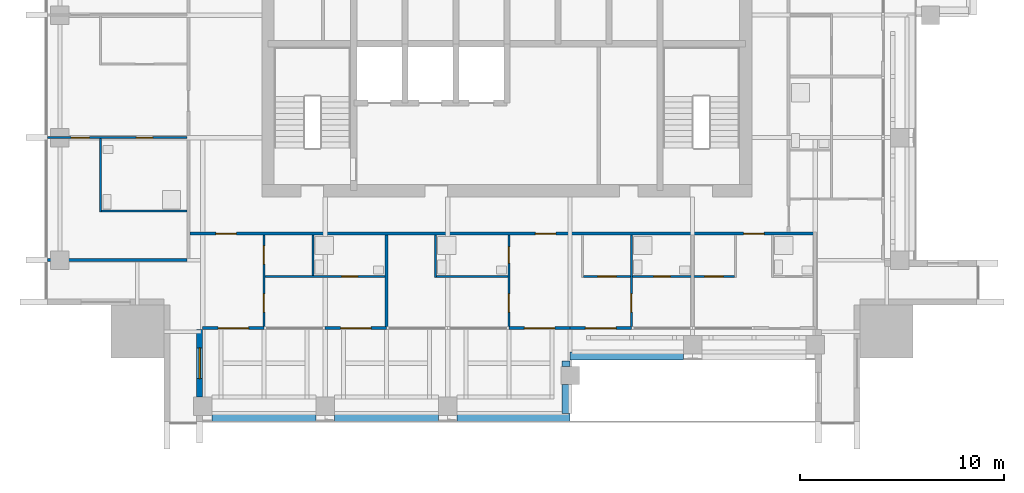
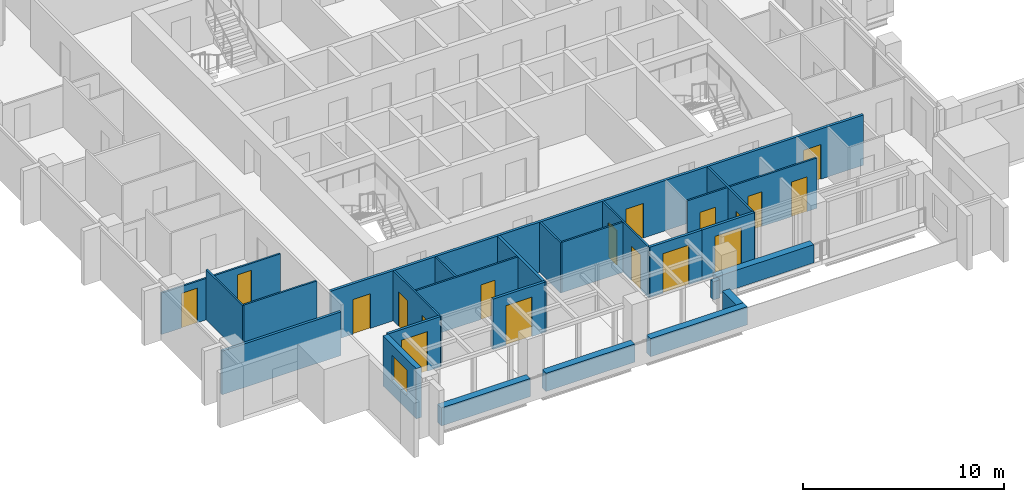
# One storey, part 8 of 17: 25 walls, 18 doors, 1 window, 19 openings.
"""IFC4 building model written with IfcOpenShell, lengths in metres."""

from ifc_helpers import new_model, si_unit, direction, frame, frame_2d, origin, place, context, subcontext, project, spatial, rectangle, extrude, material, layer, layer_set, type_object, element, fill, save


model = new_model("IFC4")

# Units and contexts
model_context = context("Model", 3, precision=1e-05, world=origin(), true_north=direction((0.0, 1.0)))
body_context = subcontext(model_context, "Body", "Model", "MODEL_VIEW")
ifc_project = project(units=[si_unit("LENGTHUNIT", "METRE"), si_unit("AREAUNIT", "SQUARE_METRE"), si_unit("VOLUMEUNIT", "CUBIC_METRE"), si_unit("PLANEANGLEUNIT", "RADIAN"), si_unit("MASSUNIT", "GRAM", prefix="KILO")], contexts=[model_context])

# Site, building, storey
site_placement = place(None, origin())
site = spatial("IfcSite", under=ifc_project, at=site_placement, CompositionType="ELEMENT")
building_placement = place(site_placement, origin())
building = spatial("IfcBuilding", under=site, at=building_placement, Name="Amberfall Residences", CompositionType="ELEMENT")
storey_placement = place(building_placement, frame((0.0, 0.0, 216.699951171875)))
storey = spatial("IfcBuildingStorey", under=building, at=storey_placement, Name="L58", CompositionType="ELEMENT", Elevation=216.699951171875)

# Wall, opening, window
ifc_material_1 = material(Name="Pale stone cladding on insulated backing", Category="masonry")
ifc_layer_1 = layer(ifc_material_1, 0.300048828125)
ifc_layer_set_1 = layer_set([ifc_layer_1], Name="Bronze clad wall 300")
wall_type_1 = type_object("IfcWallType", Name="Bronze clad wall 300", PredefinedType="SOLIDWALL", material=ifc_layer_set_1)
wall_1_placement = place(storey_placement, frame((59.449951171875, 23.699951171875, 0.0), z_axis=(0.0, 0.0, 1.0), x_axis=(0.0, 1.0, 0.0)))
wall_1 = element("IfcWall", 1, at=wall_1_placement, inside=storey, type_object=wall_type_1, Name="External wall L58 S", PredefinedType="SOLIDWALL", context=body_context, shape_type="SweptSolid", body=[
    extrude(rectangle(XDim=3.300048828125, YDim=0.300048828125, at=frame_2d((1.64990234375, 0.0))), origin(), (0.0, 0.0, 1.0), 3.050048828125),
])
opening_1_placement = place(wall_1_placement, frame((0.89990234375, 0.0, 0.89990234375)))
opening_1 = element("IfcOpeningElement", 2, at=opening_1_placement, cuts=wall_1, Name="Opening WN1", PredefinedType="OPENING", context=body_context, shape_type="SweptSolid", body=[
    extrude(rectangle(XDim=1.5, YDim=1.5, at=frame_2d((0.75, 0.75))), frame((0.0, 0.159912109375, 0.0), z_axis=(0.0, -1.0, 0.0), x_axis=(1.0, 0.0, 0.0)), (0.0, 0.0, 1.0), 0.320068359375),
])
ifc_material_2 = material(Name="Bronze aluminium framed glazing", Category="aluminium")
window_type = type_object("IfcWindowType", Name="Window 1500 x 1500 bronze", PartitioningType="DOUBLE_PANEL_VERTICAL", PredefinedType="WINDOW", material=ifc_material_2)
window_placement = place(opening_1_placement, origin())
window = element("IfcWindow", 3, at=window_placement, inside=storey, type_object=window_type, Name="Window L58 S", OverallHeight=1.5, OverallWidth=1.5, PartitioningType="DOUBLE_PANEL_VERTICAL", PredefinedType="WINDOW", context=body_context, shape_type="SweptSolid", body=[
    extrude(rectangle(XDim=1.5, YDim=1.5, at=frame_2d((0.75, 0.75))), frame((0.0, 0.030029296875, 0.0), z_axis=(0.0, -1.0, 0.0), x_axis=(1.0, 0.0, 0.0)), (0.0, 0.0, 1.0), 0.06005859375),
])
fill(opening_1, window)

# Wall
ifc_material_3 = material(Name="Gypsum board on metal stud")
ifc_layer_2 = layer(ifc_material_3, 0.10009765625)
ifc_layer_set_2 = layer_set([ifc_layer_2], Name="Flat partition 100")
wall_type_2 = type_object("IfcWallType", Name="Flat partition 100", PredefinedType="PARTITIONING", material=ifc_layer_set_2)
wall_2_placement = place(storey_placement, frame((54.60009765625, 32.75, 0.0), z_axis=(0.0, 0.0, 1.0), x_axis=(0.0, 1.0, 0.0)))
element("IfcWall", 4, at=wall_2_placement, inside=storey, type_object=wall_type_2, Name="Partition 001", PredefinedType="PARTITIONING", context=body_context, shape_type="SweptSolid", body=[
    extrude(rectangle(XDim=3.60009765625, YDim=0.10009765625, at=frame_2d((1.800048828125, 0.0))), origin(), (0.0, 0.0, 1.0), 3.050048828125),
])

# Wall, openings, doors
wall_3_placement = place(storey_placement, frame((62.60009765625, 31.625, 0.0), z_axis=(0.0, 0.0, 1.0), x_axis=(0.0, -1.0, 0.0)))
wall_3 = element("IfcWall", 5, at=wall_3_placement, inside=storey, type_object=wall_type_2, Name="Partition 006", PredefinedType="PARTITIONING", context=body_context, shape_type="SweptSolid", body=[
    extrude(rectangle(XDim=4.625, YDim=0.10009765625, at=frame_2d((2.3125, 0.0))), origin(), (0.0, 0.0, 1.0), 3.050048828125),
])
opening_2_placement = place(wall_3_placement, frame((0.52490234375, 0.0, 0.0)))
opening_2 = element("IfcOpeningElement", 6, at=opening_2_placement, cuts=wall_3, Name="Opening D41", PredefinedType="OPENING", context=body_context, shape_type="SweptSolid", body=[
    extrude(rectangle(XDim=0.89990234375, YDim=2.10009765625, at=frame_2d((0.449951171875, 1.050048828125))), frame((0.0, 0.06005859375, 0.0), z_axis=(0.0, -1.0, 0.0), x_axis=(1.0, 0.0, 0.0)), (0.0, 0.0, 1.0), 0.1201171875),
])
opening_3_placement = place(wall_3_placement, frame((2.875, 0.0, 0.0)))
opening_3 = element("IfcOpeningElement", 7, at=opening_3_placement, cuts=wall_3, Name="Opening D41", PredefinedType="OPENING", context=body_context, shape_type="SweptSolid", body=[
    extrude(rectangle(XDim=0.89990234375, YDim=2.10009765625, at=frame_2d((0.449951171875, 1.050048828125))), frame((0.0, 0.06005859375, 0.0), z_axis=(0.0, -1.0, 0.0), x_axis=(1.0, 0.0, 0.0)), (0.0, 0.0, 1.0), 0.1201171875),
])
ifc_material_4 = material(Name="Timber", Category="wood")
door_type_1 = type_object("IfcDoorType", Name="Internal door 900 x 2100", OperationType="SINGLE_SWING_LEFT", PredefinedType="DOOR", material=ifc_material_4)
door_1_placement = place(opening_2_placement, origin())
door_1 = element("IfcDoor", 8, at=door_1_placement, inside=storey, type_object=door_type_1, Name="Door 5801 kitchen", OperationType="SINGLE_SWING_LEFT", OverallHeight=2.10009765625, OverallWidth=0.89990234375, PredefinedType="DOOR", context=body_context, shape_type="SweptSolid", body=[
    extrude(rectangle(XDim=0.89990234375, YDim=2.10009765625, at=frame_2d((0.449951171875, 1.050048828125))), frame((0.0, 0.02490234375, 0.0), z_axis=(0.0, -1.0, 0.0), x_axis=(1.0, 0.0, 0.0)), (0.0, 0.0, 1.0), 0.050048828125),
])
fill(opening_2, door_1)
door_2_placement = place(opening_3_placement, origin())
door_2 = element("IfcDoor", 9, at=door_2_placement, inside=storey, type_object=door_type_1, Name="Door 5801 bedroom1", OperationType="SINGLE_SWING_LEFT", OverallHeight=2.10009765625, OverallWidth=0.89990234375, PredefinedType="DOOR", context=body_context, shape_type="SweptSolid", body=[
    extrude(rectangle(XDim=0.89990234375, YDim=2.10009765625, at=frame_2d((0.449951171875, 1.050048828125))), frame((0.0, 0.02490234375, 0.0), z_axis=(0.0, -1.0, 0.0), x_axis=(1.0, 0.0, 0.0)), (0.0, 0.0, 1.0), 0.050048828125),
])
fill(opening_3, door_2)

# Walls
wall_4_placement = place(storey_placement, frame((65.0, 29.64990234375, 0.0), z_axis=(0.0, 0.0, 1.0), x_axis=(0.0, 1.0, 0.0)))
element("IfcWall", 10, at=wall_4_placement, inside=storey, type_object=wall_type_2, Name="Partition 007", PredefinedType="PARTITIONING", context=body_context, shape_type="SweptSolid", body=[
    extrude(rectangle(XDim=1.97509765625, YDim=0.10009765625, at=frame_2d((0.987548828125, 0.0))), origin(), (0.0, 0.0, 1.0), 3.050048828125),
])
wall_5_placement = place(storey_placement, frame((71.0, 29.550048828125, 0.0), z_axis=(0.0, 0.0, 1.0), x_axis=(0.0, 1.0, 0.0)))
element("IfcWall", 11, at=wall_5_placement, inside=storey, type_object=wall_type_2, Name="Partition 010", PredefinedType="PARTITIONING", context=body_context, shape_type="SweptSolid", body=[
    extrude(rectangle(XDim=2.074951171875, YDim=0.10009765625, at=frame_2d((1.03759765625, 0.0))), origin(), (0.0, 0.0, 1.0), 3.050048828125),
])

# Wall, openings, doors
wall_6_placement = place(storey_placement, frame((74.60009765625, 27.0, 0.0), z_axis=(0.0, 0.0, 1.0), x_axis=(0.0, 1.0, 0.0)))
wall_6 = element("IfcWall", 12, at=wall_6_placement, inside=storey, type_object=wall_type_2, Name="Partition 013", PredefinedType="PARTITIONING", context=body_context, shape_type="SweptSolid", body=[
    extrude(rectangle(XDim=4.625, YDim=0.10009765625, at=frame_2d((2.3125, 0.0))), origin(), (0.0, 0.0, 1.0), 3.050048828125),
])
opening_4_placement = place(wall_6_placement, frame((0.85009765625, 0.0, 0.0)))
opening_4 = element("IfcOpeningElement", 13, at=opening_4_placement, cuts=wall_6, Name="Opening D41", PredefinedType="OPENING", context=body_context, shape_type="SweptSolid", body=[
    extrude(rectangle(XDim=0.89990234375, YDim=2.10009765625, at=frame_2d((0.449951171875, 1.050048828125))), frame((0.0, 0.06005859375, 0.0), z_axis=(0.0, -1.0, 0.0), x_axis=(1.0, 0.0, 0.0)), (0.0, 0.0, 1.0), 0.1201171875),
])
opening_5_placement = place(wall_6_placement, frame((3.25, 0.0, 0.0)))
opening_5 = element("IfcOpeningElement", 14, at=opening_5_placement, cuts=wall_6, Name="Opening D42", PredefinedType="OPENING", context=body_context, shape_type="SweptSolid", body=[
    extrude(rectangle(XDim=0.800048828125, YDim=2.10009765625, at=frame_2d((0.39990234375, 1.050048828125))), frame((0.0, 0.06005859375, 0.0), z_axis=(0.0, -1.0, 0.0), x_axis=(1.0, 0.0, 0.0)), (0.0, 0.0, 1.0), 0.1201171875),
])
door_type_2 = type_object("IfcDoorType", Name="Bathroom door 800 x 2100", OperationType="SINGLE_SWING_LEFT", PredefinedType="DOOR", material=ifc_material_4)
door_3_placement = place(opening_5_placement, origin())
door_3 = element("IfcDoor", 15, at=door_3_placement, inside=storey, type_object=door_type_2, Name="Door 5802 bath1", OperationType="SINGLE_SWING_LEFT", OverallHeight=2.10009765625, OverallWidth=0.800048828125, PredefinedType="DOOR", context=body_context, shape_type="SweptSolid", body=[
    extrude(rectangle(XDim=0.800048828125, YDim=2.10009765625, at=frame_2d((0.39990234375, 1.050048828125))), frame((0.0, 0.02490234375, 0.0), z_axis=(0.0, -1.0, 0.0), x_axis=(1.0, 0.0, 0.0)), (0.0, 0.0, 1.0), 0.050048828125),
])
fill(opening_5, door_3)
door_4_placement = place(opening_4_placement, origin())
door_4 = element("IfcDoor", 16, at=door_4_placement, inside=storey, type_object=door_type_1, Name="Door 5802 bedroom1", OperationType="SINGLE_SWING_LEFT", OverallHeight=2.10009765625, OverallWidth=0.89990234375, PredefinedType="DOOR", context=body_context, shape_type="SweptSolid", body=[
    extrude(rectangle(XDim=0.89990234375, YDim=2.10009765625, at=frame_2d((0.449951171875, 1.050048828125))), frame((0.0, 0.02490234375, 0.0), z_axis=(0.0, -1.0, 0.0), x_axis=(1.0, 0.0, 0.0)), (0.0, 0.0, 1.0), 0.050048828125),
])
fill(opening_4, door_4)

# Wall, opening, door
wall_7_placement = place(storey_placement, frame((80.60009765625, 31.625, 0.0), z_axis=(0.0, 0.0, 1.0), x_axis=(0.0, -1.0, 0.0)))
wall_7 = element("IfcWall", 17, at=wall_7_placement, inside=storey, type_object=wall_type_2, Name="Partition 015", PredefinedType="PARTITIONING", context=body_context, shape_type="SweptSolid", body=[
    extrude(rectangle(XDim=4.625, YDim=0.10009765625, at=frame_2d((2.3125, 0.0))), origin(), (0.0, 0.0, 1.0), 3.050048828125),
])
opening_6_placement = place(wall_7_placement, frame((2.875, 0.0, 0.0)))
opening_6 = element("IfcOpeningElement", 18, at=opening_6_placement, cuts=wall_7, Name="Opening D41", PredefinedType="OPENING", context=body_context, shape_type="SweptSolid", body=[
    extrude(rectangle(XDim=0.89990234375, YDim=2.10009765625, at=frame_2d((0.449951171875, 1.050048828125))), frame((0.0, 0.06005859375, 0.0), z_axis=(0.0, -1.0, 0.0), x_axis=(1.0, 0.0, 0.0)), (0.0, 0.0, 1.0), 0.1201171875),
])
door_5_placement = place(opening_6_placement, origin())
door_5 = element("IfcDoor", 19, at=door_5_placement, inside=storey, type_object=door_type_1, Name="Door 5802 bedroom2", OperationType="SINGLE_SWING_LEFT", OverallHeight=2.10009765625, OverallWidth=0.89990234375, PredefinedType="DOOR", context=body_context, shape_type="SweptSolid", body=[
    extrude(rectangle(XDim=0.89990234375, YDim=2.10009765625, at=frame_2d((0.449951171875, 1.050048828125))), frame((0.0, 0.02490234375, 0.0), z_axis=(0.0, -1.0, 0.0), x_axis=(1.0, 0.0, 0.0)), (0.0, 0.0, 1.0), 0.050048828125),
])
fill(opening_6, door_5)

# Wall, openings, doors
wall_8_placement = place(storey_placement, frame((58.824951171875, 36.39990234375, 0.0), z_axis=(0.0, 0.0, 1.0), x_axis=(-1.0, 0.0, 0.0)))
wall_8 = element("IfcWall", 20, at=wall_8_placement, inside=storey, type_object=wall_type_2, Name="Partition 036", PredefinedType="PARTITIONING", context=body_context, shape_type="SweptSolid", body=[
    extrude(rectangle(XDim=6.824951171875, YDim=0.10009765625, at=frame_2d((3.41259765625, 0.0))), origin(), (0.0, 0.0, 1.0), 2.51611328125),
])
opening_7_placement = place(wall_8_placement, frame((4.77490234375, 0.0, 0.0)))
opening_7 = element("IfcOpeningElement", 21, at=opening_7_placement, cuts=wall_8, Name="Opening D41", PredefinedType="OPENING", context=body_context, shape_type="SweptSolid", body=[
    extrude(rectangle(XDim=0.89990234375, YDim=2.10009765625, at=frame_2d((0.449951171875, 1.050048828125))), frame((0.0, 0.06005859375, 0.0), z_axis=(0.0, -1.0, 0.0), x_axis=(1.0, 0.0, 0.0)), (0.0, 0.0, 1.0), 0.1201171875),
])
opening_8_placement = place(wall_8_placement, frame((1.675048828125, 0.0, 0.0)))
opening_8 = element("IfcOpeningElement", 22, at=opening_8_placement, cuts=wall_8, Name="Opening D42", PredefinedType="OPENING", context=body_context, shape_type="SweptSolid", body=[
    extrude(rectangle(XDim=0.800048828125, YDim=2.10009765625, at=frame_2d((0.39990234375, 1.050048828125))), frame((0.0, 0.06005859375, 0.0), z_axis=(0.0, -1.0, 0.0), x_axis=(1.0, 0.0, 0.0)), (0.0, 0.0, 1.0), 0.1201171875),
])
door_6_placement = place(opening_8_placement, origin())
door_6 = element("IfcDoor", 23, at=door_6_placement, inside=storey, type_object=door_type_2, Name="Door 5809 bath1", OperationType="SINGLE_SWING_LEFT", OverallHeight=2.10009765625, OverallWidth=0.800048828125, PredefinedType="DOOR", context=body_context, shape_type="SweptSolid", body=[
    extrude(rectangle(XDim=0.800048828125, YDim=2.10009765625, at=frame_2d((0.39990234375, 1.050048828125))), frame((0.0, 0.02490234375, 0.0), z_axis=(0.0, -1.0, 0.0), x_axis=(1.0, 0.0, 0.0)), (0.0, 0.0, 1.0), 0.050048828125),
])
fill(opening_8, door_6)
door_7_placement = place(opening_7_placement, origin())
door_7 = element("IfcDoor", 24, at=door_7_placement, inside=storey, type_object=door_type_1, Name="Door 5809 bedroom1", OperationType="SINGLE_SWING_LEFT", OverallHeight=2.10009765625, OverallWidth=0.89990234375, PredefinedType="DOOR", context=body_context, shape_type="SweptSolid", body=[
    extrude(rectangle(XDim=0.89990234375, YDim=2.10009765625, at=frame_2d((0.449951171875, 1.050048828125))), frame((0.0, 0.02490234375, 0.0), z_axis=(0.0, -1.0, 0.0), x_axis=(1.0, 0.0, 0.0)), (0.0, 0.0, 1.0), 0.050048828125),
])
fill(opening_7, door_7)

# Wall
wall_9_placement = place(storey_placement, frame((54.64990234375, 32.800048828125, 0.0), z_axis=(0.0, 0.0, 1.0), x_axis=(1.0, 0.0, 0.0)))
element("IfcWall", 25, at=wall_9_placement, inside=storey, type_object=wall_type_2, Name="Partition 039", PredefinedType="PARTITIONING", context=body_context, shape_type="SweptSolid", body=[
    extrude(rectangle(XDim=4.175048828125, YDim=0.10009765625, at=frame_2d((2.08740234375, 0.0))), origin(), (0.0, 0.0, 1.0), 3.050048828125),
])

# Wall, opening, door
wall_10_placement = place(storey_placement, frame((62.64990234375, 29.60009765625, 0.0), z_axis=(0.0, 0.0, 1.0), x_axis=(1.0, 0.0, 0.0)))
wall_10 = element("IfcWall", 26, at=wall_10_placement, inside=storey, type_object=wall_type_2, Name="Partition 040", PredefinedType="PARTITIONING", context=body_context, shape_type="SweptSolid", body=[
    extrude(rectangle(XDim=5.875, YDim=0.10009765625, at=frame_2d((2.9375, 0.0))), origin(), (0.0, 0.0, 1.0), 3.050048828125),
])
opening_9_placement = place(wall_10_placement, frame((3.75, 0.0, 0.0)))
opening_9 = element("IfcOpeningElement", 27, at=opening_9_placement, cuts=wall_10, Name="Opening D42", PredefinedType="OPENING", context=body_context, shape_type="SweptSolid", body=[
    extrude(rectangle(XDim=0.800048828125, YDim=2.10009765625, at=frame_2d((0.39990234375, 1.050048828125))), frame((0.0, 0.06005859375, 0.0), z_axis=(0.0, -1.0, 0.0), x_axis=(1.0, 0.0, 0.0)), (0.0, 0.0, 1.0), 0.1201171875),
])
door_8_placement = place(opening_9_placement, origin())
door_8 = element("IfcDoor", 28, at=door_8_placement, inside=storey, type_object=door_type_2, Name="Door 5801 bath1", OperationType="SINGLE_SWING_LEFT", OverallHeight=2.10009765625, OverallWidth=0.800048828125, PredefinedType="DOOR", context=body_context, shape_type="SweptSolid", body=[
    extrude(rectangle(XDim=0.800048828125, YDim=2.10009765625, at=frame_2d((0.39990234375, 1.050048828125))), frame((0.0, 0.02490234375, 0.0), z_axis=(0.0, -1.0, 0.0), x_axis=(1.0, 0.0, 0.0)), (0.0, 0.0, 1.0), 0.050048828125),
])
fill(opening_9, door_8)

# Wall
wall_11_placement = place(storey_placement, frame((71.050048828125, 29.60009765625, 0.0), z_axis=(0.0, 0.0, 1.0), x_axis=(1.0, 0.0, 0.0)))
element("IfcWall", 29, at=wall_11_placement, inside=storey, type_object=wall_type_2, Name="Partition 041", PredefinedType="PARTITIONING", context=body_context, shape_type="SweptSolid", body=[
    extrude(rectangle(XDim=3.5, YDim=0.10009765625, at=frame_2d((1.75, 0.0))), origin(), (0.0, 0.0, 1.0), 3.050048828125),
])

# Wall, openings, doors
wall_12_placement = place(storey_placement, frame((78.25, 29.60009765625, 0.0), z_axis=(0.0, 0.0, 1.0), x_axis=(1.0, 0.0, 0.0)))
wall_12 = element("IfcWall", 30, at=wall_12_placement, inside=storey, type_object=wall_type_2, Name="Partition 042", PredefinedType="PARTITIONING", context=body_context, shape_type="SweptSolid", body=[
    extrude(rectangle(XDim=7.39990234375, YDim=0.10009765625, at=frame_2d((3.699951171875, 0.0))), origin(), (0.0, 0.0, 1.0), 3.050048828125),
])
opening_10_placement = place(wall_12_placement, frame((0.699951171875, 0.0, 0.0)))
opening_10 = element("IfcOpeningElement", 31, at=opening_10_placement, cuts=wall_12, Name="Opening D41", PredefinedType="OPENING", context=body_context, shape_type="SweptSolid", body=[
    extrude(rectangle(XDim=0.89990234375, YDim=2.10009765625, at=frame_2d((0.449951171875, 1.050048828125))), frame((0.0, 0.06005859375, 0.0), z_axis=(0.0, -1.0, 0.0), x_axis=(1.0, 0.0, 0.0)), (0.0, 0.0, 1.0), 0.1201171875),
])
opening_11_placement = place(wall_12_placement, frame((3.449951171875, 0.0, 0.0)))
opening_11 = element("IfcOpeningElement", 32, at=opening_11_placement, cuts=wall_12, Name="Opening D42", PredefinedType="OPENING", context=body_context, shape_type="SweptSolid", body=[
    extrude(rectangle(XDim=0.800048828125, YDim=2.10009765625, at=frame_2d((0.39990234375, 1.050048828125))), frame((0.0, 0.06005859375, 0.0), z_axis=(0.0, -1.0, 0.0), x_axis=(1.0, 0.0, 0.0)), (0.0, 0.0, 1.0), 0.1201171875),
])
opening_12_placement = place(wall_12_placement, frame((5.949951171875, 0.0, 0.0)))
opening_12 = element("IfcOpeningElement", 33, at=opening_12_placement, cuts=wall_12, Name="Opening D41", PredefinedType="OPENING", context=body_context, shape_type="SweptSolid", body=[
    extrude(rectangle(XDim=0.89990234375, YDim=2.10009765625, at=frame_2d((0.449951171875, 1.050048828125))), frame((0.0, 0.06005859375, 0.0), z_axis=(0.0, -1.0, 0.0), x_axis=(1.0, 0.0, 0.0)), (0.0, 0.0, 1.0), 0.1201171875),
])
door_9_placement = place(opening_11_placement, origin())
door_9 = element("IfcDoor", 34, at=door_9_placement, inside=storey, type_object=door_type_2, Name="Door 5802 bath2", OperationType="SINGLE_SWING_LEFT", OverallHeight=2.10009765625, OverallWidth=0.800048828125, PredefinedType="DOOR", context=body_context, shape_type="SweptSolid", body=[
    extrude(rectangle(XDim=0.800048828125, YDim=2.10009765625, at=frame_2d((0.39990234375, 1.050048828125))), frame((0.0, 0.02490234375, 0.0), z_axis=(0.0, -1.0, 0.0), x_axis=(1.0, 0.0, 0.0)), (0.0, 0.0, 1.0), 0.050048828125),
])
fill(opening_11, door_9)
door_10_placement = place(opening_10_placement, origin())
door_10 = element("IfcDoor", 35, at=door_10_placement, inside=storey, type_object=door_type_1, Name="Door 5802 kitchen", OperationType="SINGLE_SWING_LEFT", OverallHeight=2.10009765625, OverallWidth=0.89990234375, PredefinedType="DOOR", context=body_context, shape_type="SweptSolid", body=[
    extrude(rectangle(XDim=0.89990234375, YDim=2.10009765625, at=frame_2d((0.449951171875, 1.050048828125))), frame((0.0, 0.02490234375, 0.0), z_axis=(0.0, -1.0, 0.0), x_axis=(1.0, 0.0, 0.0)), (0.0, 0.0, 1.0), 0.050048828125),
])
fill(opening_10, door_10)
door_11_placement = place(opening_12_placement, origin())
door_11 = element("IfcDoor", 36, at=door_11_placement, inside=storey, type_object=door_type_1, Name="Door 5803 kitchen", OperationType="SINGLE_SWING_LEFT", OverallHeight=2.10009765625, OverallWidth=0.89990234375, PredefinedType="DOOR", context=body_context, shape_type="SweptSolid", body=[
    extrude(rectangle(XDim=0.89990234375, YDim=2.10009765625, at=frame_2d((0.449951171875, 1.050048828125))), frame((0.0, 0.02490234375, 0.0), z_axis=(0.0, -1.0, 0.0), x_axis=(1.0, 0.0, 0.0)), (0.0, 0.0, 1.0), 0.050048828125),
])
fill(opening_12, door_11)

# Wall
ifc_material_5 = material(Name="Blockwork, plastered", Category="masonry")
ifc_layer_3 = layer(ifc_material_5, 0.14990234375)
ifc_layer_set_3 = layer_set([ifc_layer_3], Name="Flat separating wall 150")
wall_type_3 = type_object("IfcWallType", Name="Flat separating wall 150", PredefinedType="PARTITIONING", material=ifc_layer_set_3)
wall_13_placement = place(storey_placement, frame((68.60009765625, 27.0, 0.0), z_axis=(0.0, 0.0, 1.0), x_axis=(0.0, 1.0, 0.0)))
element("IfcWall", 37, at=wall_13_placement, inside=storey, type_object=wall_type_3, Name="Separating wall 046", PredefinedType="PARTITIONING", context=body_context, shape_type="SweptSolid", body=[
    extrude(rectangle(XDim=4.625, YDim=0.14990234375, at=frame_2d((2.3125, 0.0))), origin(), (0.0, 0.0, 1.0), 3.050048828125),
])

# Wall, openings, doors
wall_14_placement = place(storey_placement, frame((89.52490234375, 31.699951171875, 0.0), z_axis=(0.0, 0.0, 1.0), x_axis=(-1.0, 0.0, 0.0)))
wall_14 = element("IfcWall", 38, at=wall_14_placement, inside=storey, type_object=wall_type_3, Name="Separating wall 056", PredefinedType="PARTITIONING", context=body_context, shape_type="SweptSolid", body=[
    extrude(rectangle(XDim=30.5498046875, YDim=0.14990234375, at=frame_2d((15.27490234375, 0.0))), origin(), (0.0, 0.0, 1.0), 3.050048828125),
])
opening_13_placement = place(wall_14_placement, frame((28.27490234375, 0.0, 0.0)))
opening_13 = element("IfcOpeningElement", 39, at=opening_13_placement, cuts=wall_14, Name="Opening D40", PredefinedType="OPENING", context=body_context, shape_type="SweptSolid", body=[
    extrude(rectangle(XDim=1.0, YDim=2.10009765625, at=frame_2d((0.5, 1.050048828125))), frame((0.0, 0.0849609375, 0.0), z_axis=(0.0, -1.0, 0.0), x_axis=(1.0, 0.0, 0.0)), (0.0, 0.0, 1.0), 0.169921875),
])
opening_14_placement = place(wall_14_placement, frame((12.625, 0.0, 0.0)))
opening_14 = element("IfcOpeningElement", 40, at=opening_14_placement, cuts=wall_14, Name="Opening D40", PredefinedType="OPENING", context=body_context, shape_type="SweptSolid", body=[
    extrude(rectangle(XDim=1.0, YDim=2.10009765625, at=frame_2d((0.5, 1.050048828125))), frame((0.0, 0.0849609375, 0.0), z_axis=(0.0, -1.0, 0.0), x_axis=(1.0, 0.0, 0.0)), (0.0, 0.0, 1.0), 0.169921875),
])
opening_15_placement = place(wall_14_placement, frame((2.425048828125, 0.0, 0.0)))
opening_15 = element("IfcOpeningElement", 41, at=opening_15_placement, cuts=wall_14, Name="Opening D40", PredefinedType="OPENING", context=body_context, shape_type="SweptSolid", body=[
    extrude(rectangle(XDim=1.0, YDim=2.10009765625, at=frame_2d((0.5, 1.050048828125))), frame((0.0, 0.0849609375, 0.0), z_axis=(0.0, -1.0, 0.0), x_axis=(1.0, 0.0, 0.0)), (0.0, 0.0, 1.0), 0.169921875),
])
ifc_material_6 = material(Name="Timber, fire-rated", Category="wood")
door_type_3 = type_object("IfcDoorType", Name="Flat entrance door FD60 1000 x 2100", OperationType="SINGLE_SWING_LEFT", PredefinedType="DOOR", material=ifc_material_6)
door_12_placement = place(opening_13_placement, origin())
door_12 = element("IfcDoor", 42, at=door_12_placement, inside=storey, type_object=door_type_3, Name="Door 5801 entrance", OperationType="SINGLE_SWING_LEFT", OverallHeight=2.10009765625, OverallWidth=1.0, PredefinedType="DOOR", context=body_context, shape_type="SweptSolid", body=[
    extrude(rectangle(XDim=1.0, YDim=2.10009765625, at=frame_2d((0.5, 1.050048828125))), frame((0.0, 0.02490234375, 0.0), z_axis=(0.0, -1.0, 0.0), x_axis=(1.0, 0.0, 0.0)), (0.0, 0.0, 1.0), 0.050048828125),
])
fill(opening_13, door_12)
door_13_placement = place(opening_14_placement, origin())
door_13 = element("IfcDoor", 43, at=door_13_placement, inside=storey, type_object=door_type_3, Name="Door 5802 entrance", OperationType="SINGLE_SWING_LEFT", OverallHeight=2.10009765625, OverallWidth=1.0, PredefinedType="DOOR", context=body_context, shape_type="SweptSolid", body=[
    extrude(rectangle(XDim=1.0, YDim=2.10009765625, at=frame_2d((0.5, 1.050048828125))), frame((0.0, 0.02490234375, 0.0), z_axis=(0.0, -1.0, 0.0), x_axis=(1.0, 0.0, 0.0)), (0.0, 0.0, 1.0), 0.050048828125),
])
fill(opening_14, door_13)
door_14_placement = place(opening_15_placement, origin())
door_14 = element("IfcDoor", 44, at=door_14_placement, inside=storey, type_object=door_type_3, Name="Door 5803 entrance", OperationType="SINGLE_SWING_LEFT", OverallHeight=2.10009765625, OverallWidth=1.0, PredefinedType="DOOR", context=body_context, shape_type="SweptSolid", body=[
    extrude(rectangle(XDim=1.0, YDim=2.10009765625, at=frame_2d((0.5, 1.050048828125))), frame((0.0, 0.02490234375, 0.0), z_axis=(0.0, -1.0, 0.0), x_axis=(1.0, 0.0, 0.0)), (0.0, 0.0, 1.0), 0.050048828125),
])
fill(opening_15, door_14)

# Wall
wall_15_placement = place(storey_placement, frame((52.0, 30.39990234375, 0.0), z_axis=(0.0, 0.0, 1.0), x_axis=(1.0, 0.0, 0.0)))
element("IfcWall", 45, at=wall_15_placement, inside=storey, type_object=wall_type_3, Name="Separating wall 057", PredefinedType="PARTITIONING", context=body_context, shape_type="SweptSolid", body=[
    extrude(rectangle(XDim=6.824951171875, YDim=0.14990234375, at=frame_2d((3.41259765625, 0.0))), origin(), (0.0, 0.0, 1.0), 2.64697265625),
])

# Wall, opening, door
ifc_layer_4 = layer(ifc_material_1, 0.14990234375)
ifc_layer_set_4 = layer_set([ifc_layer_4], Name="Terrace door infill wall 150")
wall_type_4 = type_object("IfcWallType", Name="Terrace door infill wall 150", PredefinedType="SOLIDWALL", material=ifc_layer_set_4)
wall_16_placement = place(storey_placement, frame((59.60009765625, 27.074951171875, 0.0), z_axis=(0.0, 0.0, 1.0), x_axis=(1.0, 0.0, 0.0)))
wall_16 = element("IfcWall", 46, at=wall_16_placement, inside=storey, type_object=wall_type_4, Name="Terrace door wall L58 S1", PredefinedType="SOLIDWALL", context=body_context, shape_type="SweptSolid", body=[
    extrude(rectangle(XDim=3.0, YDim=0.14990234375, at=frame_2d((1.5, 0.0))), origin(), (0.0, 0.0, 1.0), 3.050048828125),
])
opening_16_placement = place(wall_16_placement, frame((0.75, 0.0, 0.0)))
opening_16 = element("IfcOpeningElement", 47, at=opening_16_placement, cuts=wall_16, Name="Opening TD2", PredefinedType="OPENING", context=body_context, shape_type="SweptSolid", body=[
    extrude(rectangle(XDim=1.5, YDim=2.39990234375, at=frame_2d((0.75, 1.199951171875))), frame((0.0, 0.0849609375, 0.0), z_axis=(0.0, -1.0, 0.0), x_axis=(1.0, 0.0, 0.0)), (0.0, 0.0, 1.0), 0.169921875),
])
ifc_material_7 = material(Name="Bronze aluminium framed glazed door", Category="aluminium")
door_type_4 = type_object("IfcDoorType", Name="Terrace sliding door 1500 x 2400", OperationType="DOUBLE_DOOR_SLIDING", PredefinedType="DOOR", material=ifc_material_7)
door_15_placement = place(opening_16_placement, origin())
door_15 = element("IfcDoor", 48, at=door_15_placement, inside=storey, type_object=door_type_4, Name="Terrace door TD2", OperationType="DOUBLE_DOOR_SLIDING", OverallHeight=2.39990234375, OverallWidth=1.5, PredefinedType="DOOR", context=body_context, shape_type="SweptSolid", body=[
    extrude(rectangle(XDim=1.5, YDim=2.39990234375, at=frame_2d((0.75, 1.199951171875))), frame((0.0, 0.02490234375, 0.0), z_axis=(0.0, -1.0, 0.0), x_axis=(1.0, 0.0, 0.0)), (0.0, 0.0, 1.0), 0.050048828125),
])
fill(opening_16, door_15)

wall_17_placement = place(storey_placement, frame((65.60009765625, 27.074951171875, 0.0), z_axis=(0.0, 0.0, 1.0), x_axis=(1.0, 0.0, 0.0)))
wall_17 = element("IfcWall", 49, at=wall_17_placement, inside=storey, type_object=wall_type_4, Name="Terrace door wall L58 S2", PredefinedType="SOLIDWALL", context=body_context, shape_type="SweptSolid", body=[
    extrude(rectangle(XDim=3.0, YDim=0.14990234375, at=frame_2d((1.5, 0.0))), origin(), (0.0, 0.0, 1.0), 3.050048828125),
])
opening_17_placement = place(wall_17_placement, frame((0.75, 0.0, 0.0)))
opening_17 = element("IfcOpeningElement", 50, at=opening_17_placement, cuts=wall_17, Name="Opening TD2", PredefinedType="OPENING", context=body_context, shape_type="SweptSolid", body=[
    extrude(rectangle(XDim=1.5, YDim=2.39990234375, at=frame_2d((0.75, 1.199951171875))), frame((0.0, 0.0849609375, 0.0), z_axis=(0.0, -1.0, 0.0), x_axis=(1.0, 0.0, 0.0)), (0.0, 0.0, 1.0), 0.169921875),
])
door_16_placement = place(opening_17_placement, origin())
door_16 = element("IfcDoor", 51, at=door_16_placement, inside=storey, type_object=door_type_4, Name="Terrace door TD2", OperationType="DOUBLE_DOOR_SLIDING", OverallHeight=2.39990234375, OverallWidth=1.5, PredefinedType="DOOR", context=body_context, shape_type="SweptSolid", body=[
    extrude(rectangle(XDim=1.5, YDim=2.39990234375, at=frame_2d((0.75, 1.199951171875))), frame((0.0, 0.02490234375, 0.0), z_axis=(0.0, -1.0, 0.0), x_axis=(1.0, 0.0, 0.0)), (0.0, 0.0, 1.0), 0.050048828125),
])
fill(opening_17, door_16)

wall_18_placement = place(storey_placement, frame((74.60009765625, 27.074951171875, 0.0), z_axis=(0.0, 0.0, 1.0), x_axis=(1.0, 0.0, 0.0)))
wall_18 = element("IfcWall", 52, at=wall_18_placement, inside=storey, type_object=wall_type_4, Name="Terrace door wall L58 S3", PredefinedType="SOLIDWALL", context=body_context, shape_type="SweptSolid", body=[
    extrude(rectangle(XDim=3.0, YDim=0.14990234375, at=frame_2d((1.5, 0.0))), origin(), (0.0, 0.0, 1.0), 3.050048828125),
])
opening_18_placement = place(wall_18_placement, frame((0.75, 0.0, 0.0)))
opening_18 = element("IfcOpeningElement", 53, at=opening_18_placement, cuts=wall_18, Name="Opening TD2", PredefinedType="OPENING", context=body_context, shape_type="SweptSolid", body=[
    extrude(rectangle(XDim=1.5, YDim=2.39990234375, at=frame_2d((0.75, 1.199951171875))), frame((0.0, 0.0849609375, 0.0), z_axis=(0.0, -1.0, 0.0), x_axis=(1.0, 0.0, 0.0)), (0.0, 0.0, 1.0), 0.169921875),
])
door_17_placement = place(opening_18_placement, origin())
door_17 = element("IfcDoor", 54, at=door_17_placement, inside=storey, type_object=door_type_4, Name="Terrace door TD2", OperationType="DOUBLE_DOOR_SLIDING", OverallHeight=2.39990234375, OverallWidth=1.5, PredefinedType="DOOR", context=body_context, shape_type="SweptSolid", body=[
    extrude(rectangle(XDim=1.5, YDim=2.39990234375, at=frame_2d((0.75, 1.199951171875))), frame((0.0, 0.02490234375, 0.0), z_axis=(0.0, -1.0, 0.0), x_axis=(1.0, 0.0, 0.0)), (0.0, 0.0, 1.0), 0.050048828125),
])
fill(opening_18, door_17)

wall_19_placement = place(storey_placement, frame((77.60009765625, 27.074951171875, 0.0), z_axis=(0.0, 0.0, 1.0), x_axis=(1.0, 0.0, 0.0)))
wall_19 = element("IfcWall", 55, at=wall_19_placement, inside=storey, type_object=wall_type_4, Name="Terrace door wall L58 S4", PredefinedType="SOLIDWALL", context=body_context, shape_type="SweptSolid", body=[
    extrude(rectangle(XDim=3.0, YDim=0.14990234375, at=frame_2d((1.5, 0.0))), origin(), (0.0, 0.0, 1.0), 3.050048828125),
])
opening_19_placement = place(wall_19_placement, frame((0.75, 0.0, 0.0)))
opening_19 = element("IfcOpeningElement", 56, at=opening_19_placement, cuts=wall_19, Name="Opening TD2", PredefinedType="OPENING", context=body_context, shape_type="SweptSolid", body=[
    extrude(rectangle(XDim=1.5, YDim=2.39990234375, at=frame_2d((0.75, 1.199951171875))), frame((0.0, 0.0849609375, 0.0), z_axis=(0.0, -1.0, 0.0), x_axis=(1.0, 0.0, 0.0)), (0.0, 0.0, 1.0), 0.169921875),
])
door_18_placement = place(opening_19_placement, origin())
door_18 = element("IfcDoor", 57, at=door_18_placement, inside=storey, type_object=door_type_4, Name="Terrace door TD2", OperationType="DOUBLE_DOOR_SLIDING", OverallHeight=2.39990234375, OverallWidth=1.5, PredefinedType="DOOR", context=body_context, shape_type="SweptSolid", body=[
    extrude(rectangle(XDim=1.5, YDim=2.39990234375, at=frame_2d((0.75, 1.199951171875))), frame((0.0, 0.02490234375, 0.0), z_axis=(0.0, -1.0, 0.0), x_axis=(1.0, 0.0, 0.0)), (0.0, 0.0, 1.0), 0.050048828125),
])
fill(opening_19, door_18)

# Walls
ifc_material_8 = material(Name="Pale stone faced Concrete C40", Category="masonry")
ifc_layer_5 = layer(ifc_material_8, 0.39990234375)
ifc_layer_set_5 = layer_set([ifc_layer_5], Name="Terrace parapet wall 400")
wall_type_5 = type_object("IfcWallType", Name="Terrace parapet wall 400", PredefinedType="PARAPET", material=ifc_layer_set_5)
for number, where, z_axis, x_axis, name in (
    (58, (60.050048828125, 22.699951171875, 0.030029296875), (0.0, 0.0, 1.0), (1.0, 0.0, 0.0), "Terrace parapet L58 S1"),
    (59, (66.050048828125, 22.699951171875, 0.030029296875), (0.0, 0.0, 1.0), (1.0, 0.0, 0.0), "Terrace parapet L58 S2"),
):
    element("IfcWall", number, at=place(storey_placement, frame(where, z_axis=z_axis, x_axis=x_axis)), inside=storey, type_object=wall_type_5, Name=name, PredefinedType="PARAPET", context=body_context, shape_type="SweptSolid", body=[
        extrude(rectangle(XDim=5.099853515625, YDim=0.39990234375, at=frame_2d((2.5498046875, 0.0))), origin(), (0.0, 0.0, 1.0), 1.10009765625),
    ])
wall_20_placement = place(storey_placement, frame((72.050048828125, 22.699951171875, 0.030029296875), z_axis=(0.0, 0.0, 1.0), x_axis=(1.0, 0.0, 0.0)))
element("IfcWall", 60, at=wall_20_placement, inside=storey, type_object=wall_type_5, Name="Terrace parapet L58 S3", PredefinedType="PARAPET", context=body_context, shape_type="SweptSolid", body=[
    extrude(rectangle(XDim=5.550048828125, YDim=0.39990234375, at=frame_2d((2.77490234375, 0.0))), origin(), (0.0, 0.0, 1.0), 1.10009765625),
])
wall_21_placement = place(storey_placement, frame((77.39990234375, 22.89990234375, 0.030029296875), z_axis=(0.0, 0.0, 1.0), x_axis=(0.0, 1.0, 0.0)))
element("IfcWall", 61, at=wall_21_placement, inside=storey, type_object=wall_type_5, Name="Terrace parapet L58 S3 return", PredefinedType="PARAPET", context=body_context, shape_type="SweptSolid", body=[
    extrude(rectangle(XDim=1.400146484375, YDim=0.39990234375, at=frame_2d((0.7001953125, 0.0))), origin(), (0.0, 0.0, 1.0), 1.10009765625),
])
wall_22_placement = place(storey_placement, frame((77.39990234375, 25.199951171875, 0.030029296875), z_axis=(0.0, 0.0, 1.0), x_axis=(0.0, 1.0, 0.0)))
element("IfcWall", 62, at=wall_22_placement, inside=storey, type_object=wall_type_5, Name="Terrace parapet L58 S3 return", PredefinedType="PARAPET", context=body_context, shape_type="SweptSolid", body=[
    extrude(rectangle(XDim=0.25, YDim=0.39990234375, at=frame_2d((0.125, 0.0))), origin(), (0.0, 0.0, 1.0), 1.10009765625),
])
wall_23_placement = place(storey_placement, frame((77.60009765625, 25.699951171875, 0.030029296875), z_axis=(0.0, 0.0, 1.0), x_axis=(1.0, 0.0, 0.0)))
element("IfcWall", 63, at=wall_23_placement, inside=storey, type_object=wall_type_5, Name="Terrace parapet L58 S4", PredefinedType="PARAPET", context=body_context, shape_type="SweptSolid", body=[
    extrude(rectangle(XDim=5.5498046875, YDim=0.39990234375, at=frame_2d((2.77490234375, 0.0))), origin(), (0.0, 0.0, 1.0), 1.10009765625),
])

save(model, "model.ifc")
